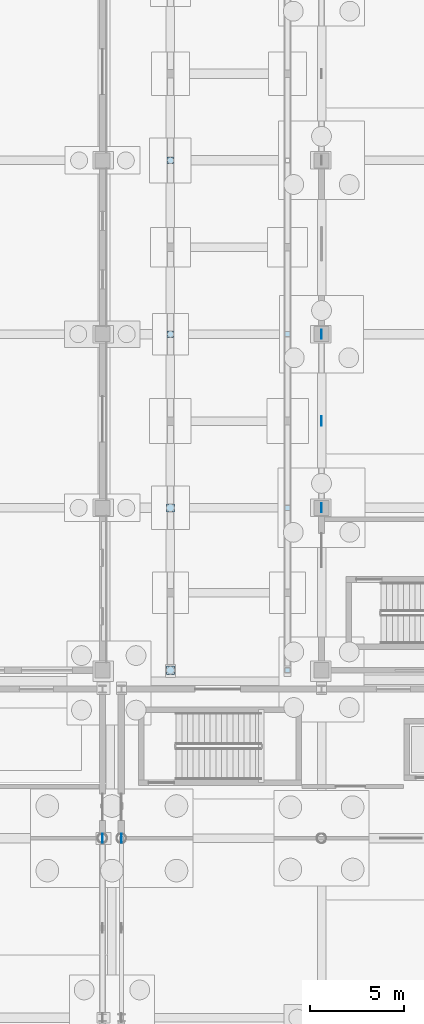
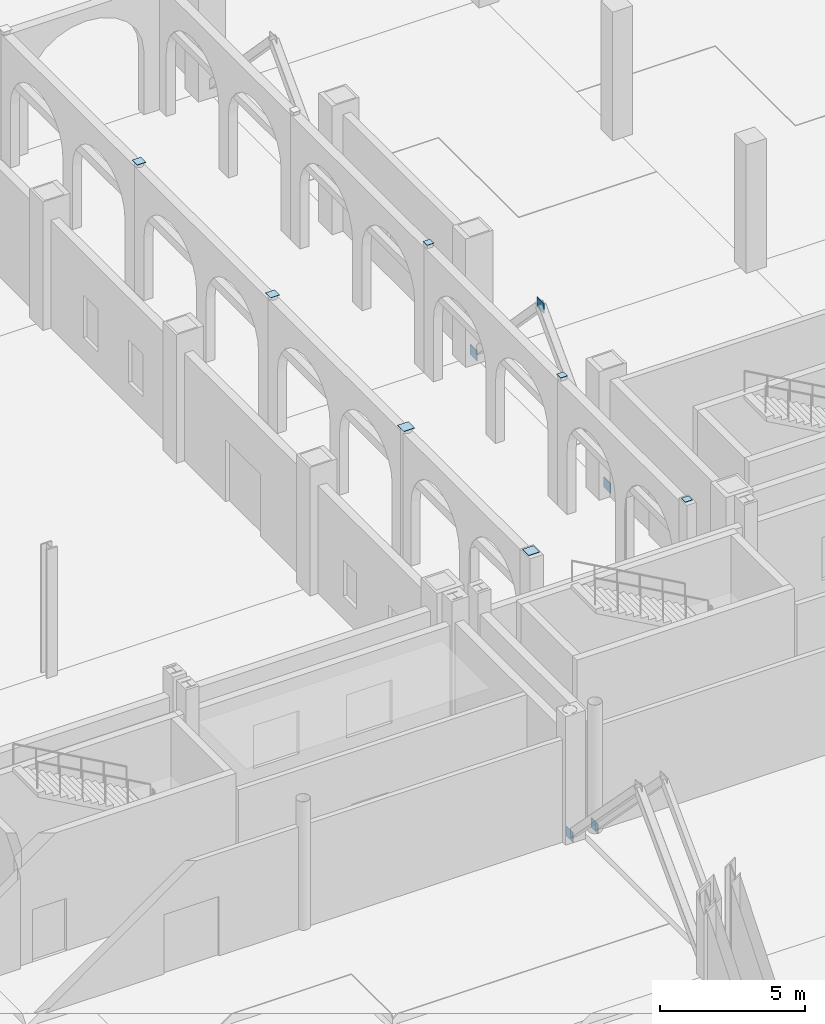
# One storey, part 42 of 83: 12 plates.
"""IFC4 building model written with IfcOpenShell, lengths in metres."""

from ifc_helpers import new_model, si_unit, direction, frame, origin, origin_2d, place, context, subcontext, project, spatial, rectangle, extrude, material, layer, layer_set, type_object, element, save


model = new_model("IFC4")

# Units and contexts
model_context = context("Model", 3, precision=1e-05, world=origin(), true_north=direction((0.0, 1.0)))
body_context = subcontext(model_context, "Body", "Model", "MODEL_VIEW")
ifc_project = project(units=[si_unit("LENGTHUNIT", "METRE"), si_unit("AREAUNIT", "SQUARE_METRE"), si_unit("VOLUMEUNIT", "CUBIC_METRE"), si_unit("PLANEANGLEUNIT", "RADIAN"), si_unit("MASSUNIT", "GRAM", prefix="KILO")], contexts=[model_context])

# Site, building, storey
site_placement = place(None, origin())
site = spatial("IfcSite", under=ifc_project, at=site_placement, CompositionType="ELEMENT")
building_placement = place(site_placement, origin())
building = spatial("IfcBuilding", under=site, at=building_placement, Name="Caurita Quay Ferry Terminal", CompositionType="ELEMENT")
storey_placement = place(building_placement, origin())
storey = spatial("IfcBuildingStorey", under=building, at=storey_placement, Name="L00", CompositionType="ELEMENT", Elevation=0.0)

# Plates
ifc_material = material(Name="Structural plate steel ASTM A572 Gr. 50", Category="steel")
ifc_layer_1 = layer(ifc_material, 0.01806640625, Name="Structural steel connection plate 18 mm")
ifc_layer_set_1 = layer_set([ifc_layer_1], Name="Structural plate steel ASTM A572 Gr. 50")
plate_type_1 = type_object("IfcPlateType", Name="PLT-STL-18", PredefinedType="USERDEFINED", material=ifc_layer_set_1)
for number, where, z_axis, x_axis, name in (
    (1, (91.199951171875, 71.60009765625, 5.39892578125), (0.0, 0.0, 1.0), (1.0, 0.0, 0.0), "L00 Hollow Column End-Cap Plate V6-W-L"),
    (2, (91.199951171875, 80.199951171875, 5.39892578125), (0.0, 0.0, 1.0), (1.0, 0.0, 0.0), "L00 Hollow Column End-Cap Plate V6-W-M"),
):
    element("IfcPlate", number, at=place(storey_placement, frame(where, z_axis=z_axis, x_axis=x_axis)), inside=storey, type_object=plate_type_1, Name=name, ObjectType="GUSSET PLATE", PredefinedType="USERDEFINED", context=body_context, shape_type="SweptSolid", body=[
        extrude(rectangle(XDim=0.430419921875, YDim=0.430419921875, at=origin_2d()), origin(), (0.0, 0.0, 1.0), 0.01806640625),
    ])
for number, where, z_axis, x_axis, name in (
    (3, (91.199951171875, 89.39990234375, 5.39892578125), (0.0, 0.0, 1.0), (1.0, 0.0, 0.0), "L00 Hollow Column End-Cap Plate V6-W-N"),
    (4, (91.199951171875, 98.60009765625, 5.39892578125), (0.0, 0.0, 1.0), (1.0, 0.0, 0.0), "L00 Hollow Column End-Cap Plate V6-W-P"),
):
    element("IfcPlate", number, at=place(storey_placement, frame(where, z_axis=z_axis, x_axis=x_axis)), inside=storey, type_object=plate_type_1, Name=name, ObjectType="GUSSET PLATE", PredefinedType="USERDEFINED", context=body_context, shape_type="SweptSolid", body=[
        extrude(rectangle(XDim=0.347900390625, YDim=0.347900390625, at=origin_2d()), origin(), (0.0, 0.0, 1.0), 0.01806640625),
    ])
for number, where, z_axis, x_axis, name in (
    (5, (97.39990234375, 71.60009765625, 5.39892578125), (0.0, 0.0, 1.0), (1.0, 0.0, 0.0), "L00 Hollow Column End-Cap Plate V6-E-L"),
    (6, (97.39990234375, 80.199951171875, 5.39892578125), (0.0, 0.0, 1.0), (1.0, 0.0, 0.0), "L00 Hollow Column End-Cap Plate V6-E-M"),
    (7, (97.39990234375, 89.39990234375, 5.39892578125), (0.0, 0.0, 1.0), (1.0, 0.0, 0.0), "L00 Hollow Column End-Cap Plate V6-E-N"),
):
    element("IfcPlate", number, at=place(storey_placement, frame(where, z_axis=z_axis, x_axis=x_axis)), inside=storey, type_object=plate_type_1, Name=name, ObjectType="GUSSET PLATE", PredefinedType="USERDEFINED", context=body_context, shape_type="SweptSolid", body=[
        extrude(rectangle(XDim=0.278076171875, YDim=0.278076171875, at=origin_2d()), origin(), (0.0, 0.0, 1.0), 0.01806640625),
    ])
for number, where, z_axis, x_axis, name in (
    (8, (87.60009765625, 62.699951171875, -0.06005859375), (0.0, 0.0, 1.0), (0.0, 1.0, 0.0), "L00 Seismic Brace Gusset 02-BSR"),
    (9, (88.60009765625, 62.699951171875, -0.06005859375), (0.0, 0.0, 1.0), (0.0, 1.0, 0.0), "L00 Seismic Brace Gusset 03-BSR"),
    (10, (99.199951171875, 80.199951171875, -0.06005859375), (0.0, 0.0, 1.0), (0.0, 1.0, 0.0), "L00 Seismic Brace Gusset 07-BSL"),
    (11, (99.199951171875, 89.39990234375, -0.06005859375), (0.0, 0.0, 1.0), (0.0, 1.0, 0.0), "L00 Seismic Brace Gusset 07-BSR"),
):
    element("IfcPlate", number, at=place(storey_placement, frame(where, z_axis=z_axis, x_axis=x_axis)), inside=storey, type_object=plate_type_1, Name=name, ObjectType="GUSSET PLATE", PredefinedType="USERDEFINED", context=body_context, shape_type="SweptSolid", body=[
        extrude(rectangle(XDim=0.47998046875, YDim=0.02490234375, at=origin_2d()), origin(), (0.0, 0.0, 1.0), 0.419921875),
    ])
ifc_layer_2 = layer(ifc_material, 0.02490234375, Name="Structural steel connection plate 25 mm")
ifc_layer_set_2 = layer_set([ifc_layer_2], Name="Structural plate steel ASTM A572 Gr. 50")
plate_type_2 = type_object("IfcPlateType", Name="PLT-STL-25", PredefinedType="USERDEFINED", material=ifc_layer_set_2)
plate_placement = place(storey_placement, frame((99.199951171875, 84.800048828125, 4.719970703125), z_axis=(0.0, 0.0, 1.0), x_axis=(0.0, 1.0, 0.0)))
element("IfcPlate", 12, at=plate_placement, inside=storey, type_object=plate_type_2, Name="L00 Seismic Brace Gusset 07-APX", ObjectType="GUSSET PLATE", PredefinedType="USERDEFINED", context=body_context, shape_type="SweptSolid", body=[
    extrude(rectangle(XDim=0.47998046875, YDim=0.02490234375, at=origin_2d()), origin(), (0.0, 0.0, 1.0), 0.419921875),
])

save(model, "model.ifc")
